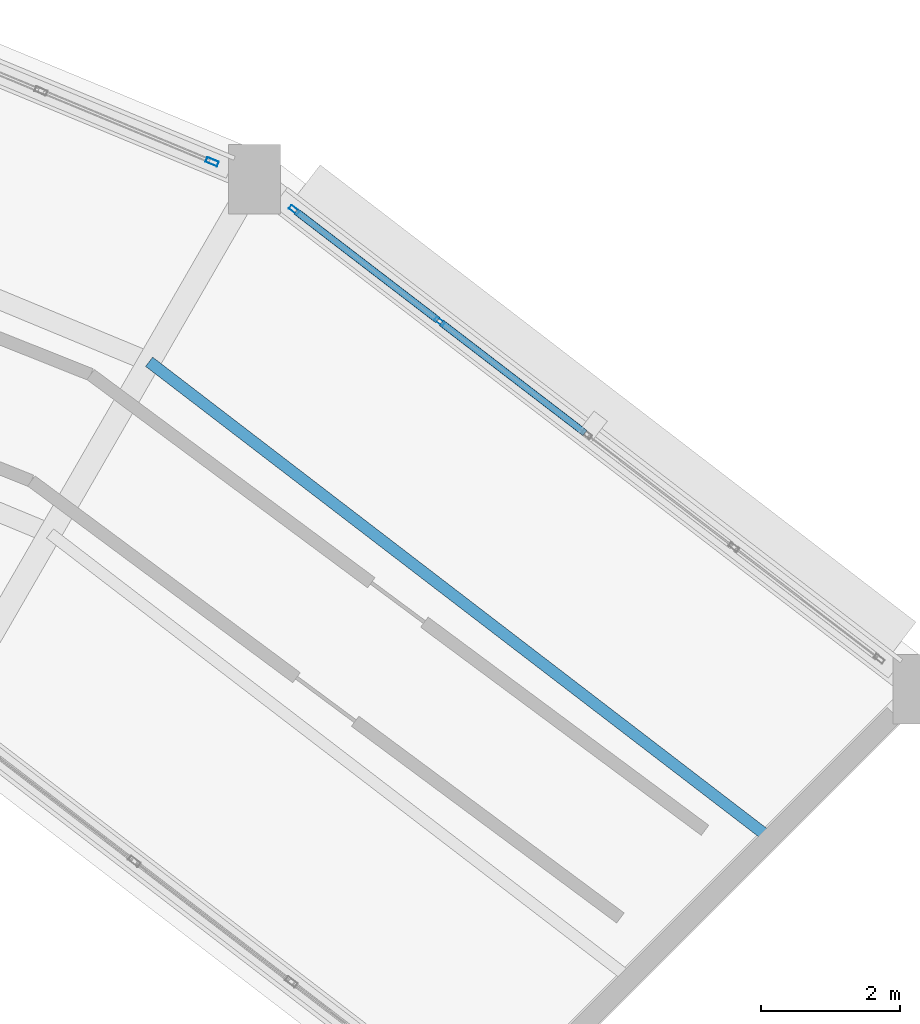
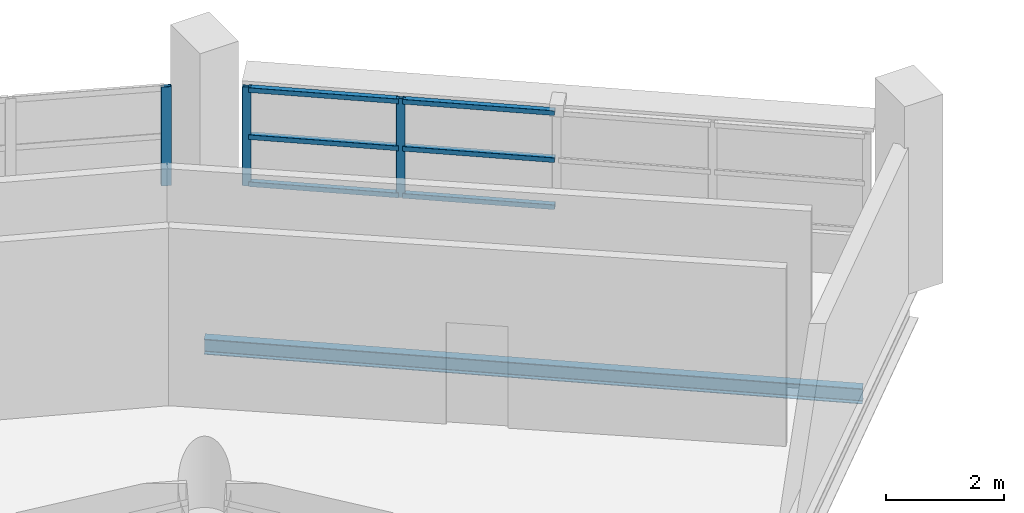
# One storey, part 35 of 53: 9 members, 1 beam, 2 elements without a shape of their own.
"""IFC4 building model written with IfcOpenShell, lengths in metres."""

from ifc_helpers import new_model, si_unit, direction, frame, origin, origin_2d, place, context, subcontext, project, spatial, hollow_rectangle, i_section, extrude, material, layer, layer_set, material_profile, profile_set, type_object, element, aggregate, save


model = new_model("IFC4")

# Units and contexts
model_context = context("Model", 3, precision=1e-05, world=origin(), true_north=direction((0.0, 1.0)))
body_context = subcontext(model_context, "Body", "Model", "MODEL_VIEW")
ifc_project = project(units=[si_unit("LENGTHUNIT", "METRE"), si_unit("AREAUNIT", "SQUARE_METRE"), si_unit("VOLUMEUNIT", "CUBIC_METRE"), si_unit("PLANEANGLEUNIT", "RADIAN"), si_unit("MASSUNIT", "GRAM", prefix="KILO")], contexts=[model_context])

# Site, building, storey
site_placement = place(None, origin())
site = spatial("IfcSite", under=ifc_project, at=site_placement, CompositionType="ELEMENT")
building_placement = place(site_placement, origin())
building = spatial("IfcBuilding", under=site, at=building_placement, Name="Vespera Passage Community Centre", CompositionType="ELEMENT")
storey_placement = place(building_placement, frame((0.0, 0.0, 20.39990234375)))
storey = spatial("IfcBuildingStorey", under=building, at=storey_placement, Name="L05", CompositionType="ELEMENT", Elevation=20.39990234375)

# Beam
ifc_material_1 = material(Name="Steel ASTM A992 Grade 50", Category="steel")
ifc_material_profile_1 = material_profile(ifc_material_1, i_section(OverallWidth=0.16650390625, OverallDepth=0.3173828125, WebThickness=0.007568359375, FlangeThickness=0.01318359375, FilletRadius=0.007568359375, at=origin_2d()), Name="W12X35")
ifc_profile_set_1 = profile_set([ifc_material_profile_1], Name="Steel ASTM A992 Grade 50")
beam_type = type_object("IfcBeamType", Name="BM-J-W12X35", PredefinedType="JOIST", material=ifc_profile_set_1)
beam_placement = place(storey_placement, frame((108.4580078125, 95.9580078125, -0.418701171875), z_axis=(-0.793354683982, 0.608759677873, 0.0), x_axis=(-0.608759677873, -0.793354683982, 0.0)))
element("IfcBeam", 1, at=beam_placement, inside=storey, type_object=beam_type, Name="V4 L05 Floor Joist 3.2", PredefinedType="JOIST", context=body_context, shape_type="SweptSolid", body=[
    extrude(i_section(OverallWidth=0.16650390625, OverallDepth=0.3173828125, WebThickness=0.007568359375, FlangeThickness=0.01318359375, FilletRadius=0.007568359375, at=origin_2d()), origin(), (0.0, 0.0, 1.0), 11.24462890625),
])

# Curtain wall, members
ifc_material_2 = material(Name="Anodized aluminium 6063-T6", Category="aluminium")
ifc_layer_1 = layer(ifc_material_2, 0.159912109375)
ifc_layer_set_1 = layer_set([ifc_layer_1], Name="Anodized aluminium 6063-T6")
curtain_wall_type_1 = type_object("IfcCurtainWallType", Name="CW-69E", PredefinedType="NOTDEFINED", material=ifc_layer_set_1)
curtain_wall_1_placement = place(storey_placement, origin())
curtain_wall_1 = element("IfcCurtainWall", 2, at=curtain_wall_1_placement, inside=storey, type_object=curtain_wall_type_1, Name="V4 L05 Outer Ribbon Curtain Wall 3", PredefinedType="NOTDEFINED")
ifc_material_3 = material(Name="Anodized aluminium 6063-T6", Category="aluminium")
ifc_material_profile_2 = material_profile(ifc_material_3, hollow_rectangle(XDim=0.06494140625, YDim=0.14990234375, WallThickness=0.00390625, InnerFilletRadius=0.001953125, OuterFilletRadius=0.00390625, at=origin_2d()), Name="ALU150X65X4")
ifc_profile_set_2 = profile_set([ifc_material_profile_2], Name="Anodized aluminium 6063-T6")
member_type_1 = type_object("IfcMemberType", Name="MB-CWM-150E", PredefinedType="MULLION", material=ifc_profile_set_2)
member_1_placement = place(storey_placement, frame((101.621337890625, 104.9853515625, 0.820068359375), z_axis=(0.0, 0.0, 1.0), x_axis=(0.608771824991, 0.793345363065, 0.0)))
member_1 = element("IfcMember", 3, at=member_1_placement, type_object=member_type_1, Name="CW-69E mullion 1", PredefinedType="MULLION", context=body_context, shape_type="SweptSolid", body=[
    extrude(hollow_rectangle(XDim=0.06494140625, YDim=0.14990234375, WallThickness=0.00390625, InnerFilletRadius=0.001953125, OuterFilletRadius=0.00390625, at=origin_2d()), origin(), (0.0, 0.0, 1.0), 2.0458984375),
])
member_2_placement = place(storey_placement, frame((103.709716796875, 103.383056640625, 0.820068359375), z_axis=(0.0, 0.0, 1.0), x_axis=(0.608771824991, 0.793345363065, 0.0)))
member_2 = element("IfcMember", 4, at=member_2_placement, type_object=member_type_1, Name="CW-69E mullion 2", PredefinedType="MULLION", context=body_context, shape_type="SweptSolid", body=[
    extrude(hollow_rectangle(XDim=0.06494140625, YDim=0.14990234375, WallThickness=0.00390625, InnerFilletRadius=0.001953125, OuterFilletRadius=0.00390625, at=origin_2d()), origin(), (0.0, 0.0, 1.0), 2.0458984375),
])

# Curtain wall, member
ifc_material_4 = material(Name="Anodized aluminium 6063-T6", Category="aluminium")
ifc_layer_2 = layer(ifc_material_4, 0.159912109375)
ifc_layer_set_2 = layer_set([ifc_layer_2], Name="Anodized aluminium 6063-T6")
curtain_wall_type_2 = type_object("IfcCurtainWallType", Name="CW-71E", PredefinedType="NOTDEFINED", material=ifc_layer_set_2)
curtain_wall_2_placement = place(storey_placement, origin())
curtain_wall_2 = element("IfcCurtainWall", 5, at=curtain_wall_2_placement, inside=storey, type_object=curtain_wall_type_2, Name="V4 L05 Outer Ribbon Curtain Wall 4", PredefinedType="NOTDEFINED")
ifc_material_5 = material(Name="Anodized aluminium 6063-T6", Category="aluminium")
ifc_material_profile_3 = material_profile(ifc_material_5, hollow_rectangle(XDim=0.074951171875, YDim=0.179931640625, WallThickness=0.0048828125, InnerFilletRadius=0.00244140625, OuterFilletRadius=0.0048828125, at=origin_2d()), Name="ALU180X75X5")
ifc_profile_set_3 = profile_set([ifc_material_profile_3], Name="Anodized aluminium 6063-T6")
member_type_2 = type_object("IfcMemberType", Name="MB-CWM-180E", PredefinedType="MULLION", material=ifc_profile_set_3)
member_3_placement = place(storey_placement, frame((100.441650390625, 105.67578125, 0.820068359375), z_axis=(0.0, 0.0, 1.0), x_axis=(0.382682936255, 0.923879738007, 0.0)))
member_3 = element("IfcMember", 6, at=member_3_placement, type_object=member_type_2, Name="CW-71E mullion 5", PredefinedType="MULLION", context=body_context, shape_type="SweptSolid", body=[
    extrude(hollow_rectangle(XDim=0.074951171875, YDim=0.179931640625, WallThickness=0.0048828125, InnerFilletRadius=0.00244140625, OuterFilletRadius=0.0048828125, at=origin_2d()), origin(), (0.0, 0.0, 1.0), 2.0458984375),
])
aggregate(curtain_wall_2, [member_3])

# Member
ifc_material_6 = material(Name="Anodized aluminium 6063-T6", Category="aluminium")
ifc_material_profile_4 = material_profile(ifc_material_6, hollow_rectangle(XDim=0.10009765625, YDim=0.10009765625, WallThickness=0.00390625, InnerFilletRadius=0.001953125, OuterFilletRadius=0.00390625, at=origin_2d()), Name="ALU100X100X4")
ifc_profile_set_4 = profile_set([ifc_material_profile_4], Name="Anodized aluminium 6063-T6")
member_type_3 = type_object("IfcMemberType", Name="MB-CWT-100E", PredefinedType="USERDEFINED", material=ifc_profile_set_4)
member_4_placement = place(storey_placement, frame((101.647216796875, 104.965576171875, 0.8701171875), z_axis=(0.793355257183, -0.608758930859, 0.0), x_axis=(0.608758930859, 0.793355257183, 0.0)))
member_4 = element("IfcMember", 7, at=member_4_placement, type_object=member_type_3, Name="CW-69E transom 1.1", ObjectType="TRANSOM", PredefinedType="USERDEFINED", context=body_context, shape_type="SweptSolid", body=[
    extrude(hollow_rectangle(XDim=0.10009765625, YDim=0.10009765625, WallThickness=0.00390625, InnerFilletRadius=0.001953125, OuterFilletRadius=0.00390625, at=origin_2d()), origin(), (0.0, 0.0, 1.0), 2.567138671875),
])

member_5_placement = place(storey_placement, frame((101.647216796875, 104.965576171875, 1.843017578125), z_axis=(0.793355257183, -0.608758930859, 0.0), x_axis=(0.608758930859, 0.793355257183, 0.0)))
member_5 = element("IfcMember", 8, at=member_5_placement, type_object=member_type_3, Name="CW-69E transom 1.2", ObjectType="TRANSOM", PredefinedType="USERDEFINED", context=body_context, shape_type="SweptSolid", body=[
    extrude(hollow_rectangle(XDim=0.10009765625, YDim=0.10009765625, WallThickness=0.00390625, InnerFilletRadius=0.001953125, OuterFilletRadius=0.00390625, at=origin_2d()), origin(), (0.0, 0.0, 1.0), 2.567138671875),
])

member_6_placement = place(storey_placement, frame((101.647216796875, 104.965576171875, 2.81591796875), z_axis=(0.793355257183, -0.608758930859, 0.0), x_axis=(0.608758930859, 0.793355257183, 0.0)))
member_6 = element("IfcMember", 9, at=member_6_placement, type_object=member_type_3, Name="CW-69E transom 1.3", ObjectType="TRANSOM", PredefinedType="USERDEFINED", context=body_context, shape_type="SweptSolid", body=[
    extrude(hollow_rectangle(XDim=0.10009765625, YDim=0.10009765625, WallThickness=0.00390625, InnerFilletRadius=0.001953125, OuterFilletRadius=0.00390625, at=origin_2d()), origin(), (0.0, 0.0, 1.0), 2.567138671875),
])

member_7_placement = place(storey_placement, frame((103.735595703125, 103.36328125, 0.8701171875), z_axis=(0.793325147434, -0.608798168894, 0.0), x_axis=(0.608798168894, 0.793325147434, 0.0)))
member_7 = element("IfcMember", 10, at=member_7_placement, type_object=member_type_3, Name="CW-69E transom 2.1", ObjectType="TRANSOM", PredefinedType="USERDEFINED", context=body_context, shape_type="SweptSolid", body=[
    extrude(hollow_rectangle(XDim=0.10009765625, YDim=0.10009765625, WallThickness=0.00390625, InnerFilletRadius=0.001953125, OuterFilletRadius=0.00390625, at=origin_2d()), origin(), (0.0, 0.0, 1.0), 2.599853515625),
])

member_8_placement = place(storey_placement, frame((103.735595703125, 103.36328125, 1.843017578125), z_axis=(0.793325147434, -0.608798168894, 0.0), x_axis=(0.608798168894, 0.793325147434, 0.0)))
member_8 = element("IfcMember", 11, at=member_8_placement, type_object=member_type_3, Name="CW-69E transom 2.2", ObjectType="TRANSOM", PredefinedType="USERDEFINED", context=body_context, shape_type="SweptSolid", body=[
    extrude(hollow_rectangle(XDim=0.10009765625, YDim=0.10009765625, WallThickness=0.00390625, InnerFilletRadius=0.001953125, OuterFilletRadius=0.00390625, at=origin_2d()), origin(), (0.0, 0.0, 1.0), 2.599853515625),
])

member_9_placement = place(storey_placement, frame((103.735595703125, 103.36328125, 2.81591796875), z_axis=(0.793325147434, -0.608798168894, 0.0), x_axis=(0.608798168894, 0.793325147434, 0.0)))
member_9 = element("IfcMember", 12, at=member_9_placement, type_object=member_type_3, Name="CW-69E transom 2.3", ObjectType="TRANSOM", PredefinedType="USERDEFINED", context=body_context, shape_type="SweptSolid", body=[
    extrude(hollow_rectangle(XDim=0.10009765625, YDim=0.10009765625, WallThickness=0.00390625, InnerFilletRadius=0.001953125, OuterFilletRadius=0.00390625, at=origin_2d()), origin(), (0.0, 0.0, 1.0), 2.599853515625),
])

aggregate(curtain_wall_1, [member_1, member_2, member_4, member_5, member_6, member_7, member_8, member_9])

save(model, "model.ifc")
